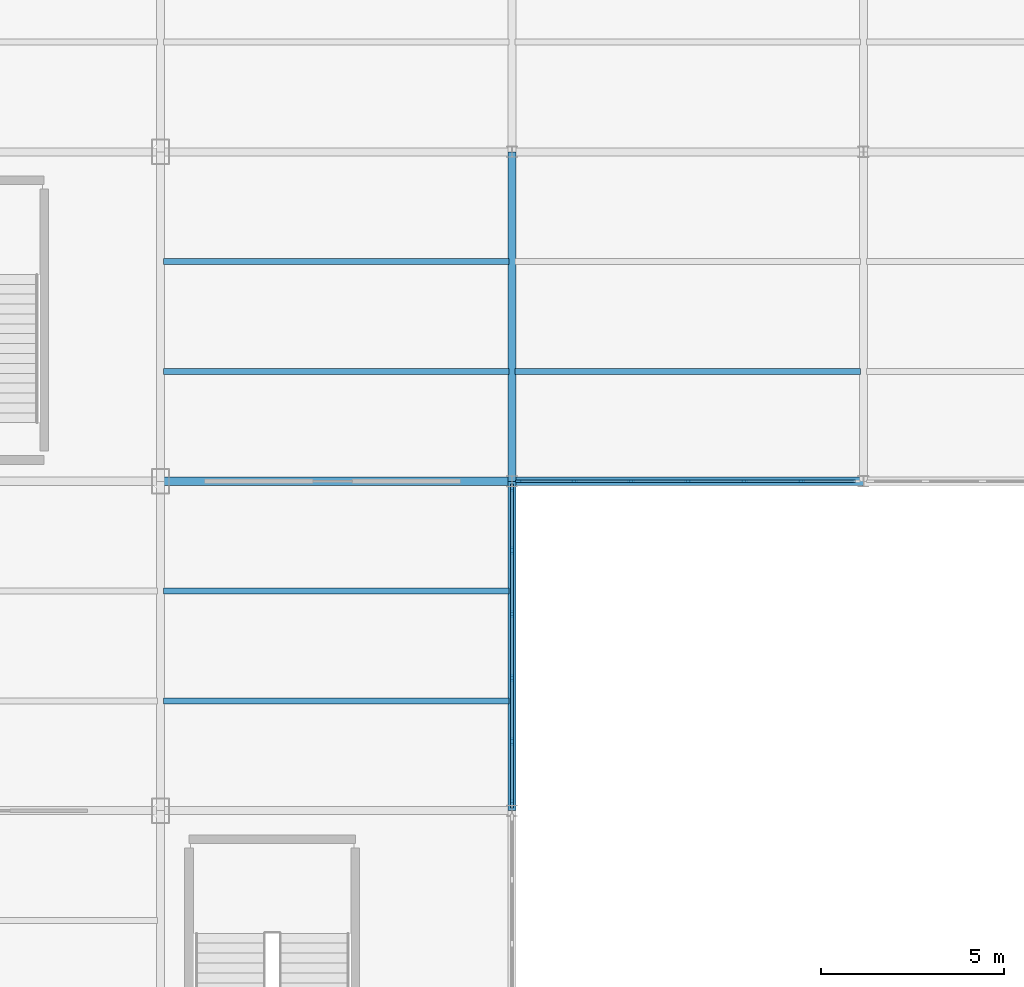
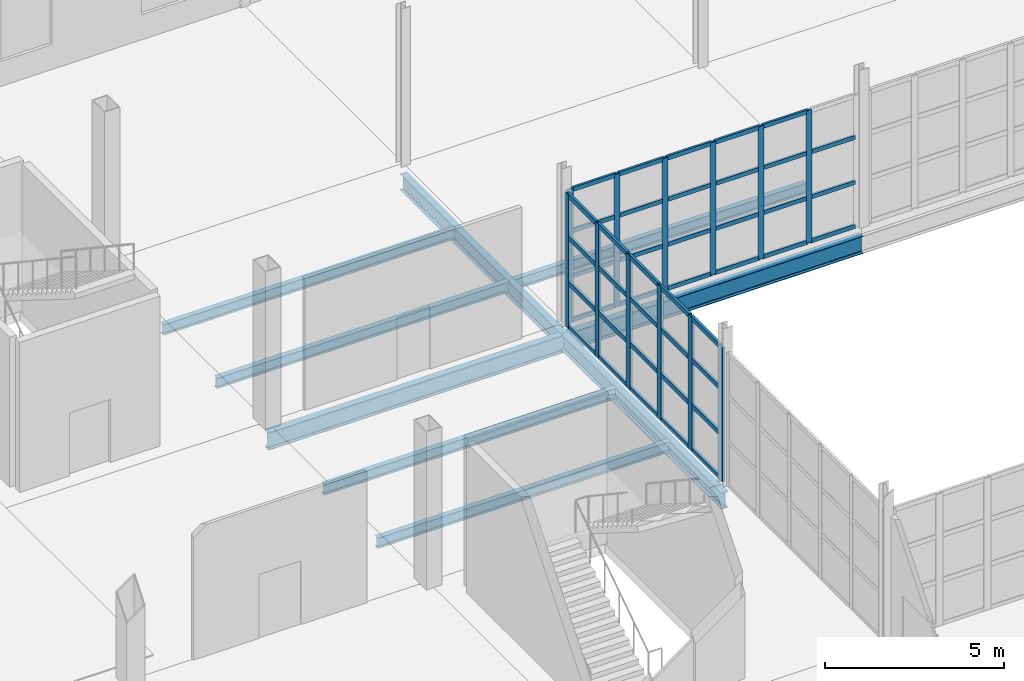
# One storey, part 38 of 85: 55 members, 9 beams, 2 elements without a shape of their own.
"""IFC4 building model written with IfcOpenShell, lengths in metres."""

from ifc_helpers import new_model, si_unit, direction, frame, origin, origin_2d, place, context, subcontext, project, spatial, rectangle, i_section, extrude, material, layer, layer_set, material_profile, profile_set, type_object, element, aggregate, save


model = new_model("IFC4")

# Units and contexts
model_context = context("Model", 3, precision=1e-05, world=origin(), true_north=direction((0.0, 1.0)))
body_context = subcontext(model_context, "Body", "Model", "MODEL_VIEW")
ifc_project = project(units=[si_unit("LENGTHUNIT", "METRE"), si_unit("AREAUNIT", "SQUARE_METRE"), si_unit("VOLUMEUNIT", "CUBIC_METRE"), si_unit("PLANEANGLEUNIT", "RADIAN"), si_unit("MASSUNIT", "GRAM", prefix="KILO")], contexts=[model_context])

# Site, building, storey
site_placement = place(None, origin())
site = spatial("IfcSite", under=ifc_project, at=site_placement, CompositionType="ELEMENT")
building_placement = place(site_placement, origin())
building = spatial("IfcBuilding", under=site, at=building_placement, Name="Zarnetskaya Central Station", CompositionType="ELEMENT")
storey_placement = place(building_placement, origin())
storey = spatial("IfcBuildingStorey", under=building, at=storey_placement, Name="L00", CompositionType="ELEMENT", Elevation=0.0)

# Beams
ifc_material_1 = material(Name="Steel S355", Category="steel")
ifc_material_profile_1 = material_profile(ifc_material_1, i_section(OverallWidth=0.169921875, OverallDepth=0.360107421875, WebThickness=0.008056640625, FlangeThickness=0.0126953125, FilletRadius=0.01806640625, at=origin_2d()), Name="IPE 360")
ifc_profile_set_1 = profile_set([ifc_material_profile_1], Name="Steel S355")
beam_type_1 = type_object("IfcBeamType", Name="BM-SEC-360", PredefinedType="BEAM", material=ifc_profile_set_1)
for number, where, z_axis, x_axis, name in (
    (1, (124.8798828125, 25.199951171875, -0.5), (1.0, 0.0, 0.0), (0.0, 1.0, 0.0), "Secondary floor beam SEC-L00-Z32-PQ-45-1"),
    (2, (124.8798828125, 28.199951171875, -0.5), (1.0, 0.0, 0.0), (0.0, 1.0, 0.0), "Secondary floor beam SEC-L00-Z32-PQ-45-2"),
    (3, (124.8798828125, 34.199951171875, -0.5), (1.0, 0.0, 0.0), (0.0, 1.0, 0.0), "Secondary floor beam SEC-L00-Z32-PQ-56-1"),
    (4, (124.8798828125, 37.199951171875, -0.5), (1.0, 0.0, 0.0), (0.0, 1.0, 0.0), "Secondary floor beam SEC-L00-Z32-PQ-56-2"),
):
    element("IfcBeam", number, at=place(storey_placement, frame(where, z_axis=z_axis, x_axis=x_axis)), inside=storey, type_object=beam_type_1, Name=name, PredefinedType="BEAM", context=body_context, shape_type="SweptSolid", body=[
        extrude(i_section(OverallWidth=0.169921875, OverallDepth=0.360107421875, WebThickness=0.008056640625, FlangeThickness=0.0126953125, FilletRadius=0.01806640625, at=origin_2d()), origin(), (0.0, 0.0, 1.0), 9.440185546875),
    ])
beam_1_placement = place(storey_placement, frame((134.47998046875, 34.199951171875, -0.5), z_axis=(1.0, 0.0, 0.0), x_axis=(0.0, 1.0, 0.0)))
element("IfcBeam", 5, at=beam_1_placement, inside=storey, type_object=beam_type_1, Name="Secondary floor beam SEC-L00-Z32-QR-56-1", PredefinedType="BEAM", context=body_context, shape_type="SweptSolid", body=[
    extrude(i_section(OverallWidth=0.169921875, OverallDepth=0.360107421875, WebThickness=0.008056640625, FlangeThickness=0.0126953125, FilletRadius=0.01806640625, at=origin_2d()), origin(), (0.0, 0.0, 1.0), 9.43994140625),
])

# Curtain wall, members
ifc_material_2 = material(Name="Low-E insulated glass", Category="glass")
ifc_layer = layer(ifc_material_2, 0.172119140625, Name="Low-E insulated glass", Category="glass")
ifc_layer_set = layer_set([ifc_layer], Name="Low-E insulated glass")
curtain_wall_type = type_object("IfcCurtainWallType", Name="CW-SYS-04", PredefinedType="USERDEFINED", material=ifc_layer_set)
curtain_wall_1_placement = place(storey_placement, origin())
curtain_wall_1 = element("IfcCurtainWall", 6, at=curtain_wall_1_placement, inside=storey, type_object=curtain_wall_type, Name="Curtain wall CW-L00-107", ObjectType="CURTAIN WALL", PredefinedType="USERDEFINED")
ifc_material_3 = material(Name="Anodised aluminium", Category="aluminium")
ifc_material_profile_2 = material_profile(ifc_material_3, rectangle(XDim=0.070068359375, YDim=0.179931640625, at=origin_2d()), Name="ALU MULL 70x180")
ifc_profile_set_2 = profile_set([ifc_material_profile_2], Name="Anodised aluminium")
member_type_1 = type_object("IfcMemberType", Name="CW-MULL-180", PredefinedType="MULLION", material=ifc_profile_set_2)
member_1_placement = place(storey_placement, frame((142.300048828125, 31.199951171875, 0.0), z_axis=(0.0, 0.0, 1.0), x_axis=(0.0, -1.0, 0.0)))
member_1 = element("IfcMember", 7, at=member_1_placement, type_object=member_type_1, Name="CW-15 mullion 2", PredefinedType="MULLION", context=body_context, shape_type="SweptSolid", body=[
    extrude(rectangle(XDim=0.070068359375, YDim=0.179931640625, at=origin_2d()), origin(), (0.0, 0.0, 1.0), 4.52001953125),
])
member_2_placement = place(storey_placement, frame((140.75, 31.199951171875, 0.0), z_axis=(0.0, 0.0, 1.0), x_axis=(0.0, -1.0, 0.0)))
member_2 = element("IfcMember", 8, at=member_2_placement, type_object=member_type_1, Name="CW-15 mullion 3", PredefinedType="MULLION", context=body_context, shape_type="SweptSolid", body=[
    extrude(rectangle(XDim=0.070068359375, YDim=0.179931640625, at=origin_2d()), origin(), (0.0, 0.0, 1.0), 4.52001953125),
])
member_3_placement = place(storey_placement, frame((139.199951171875, 31.199951171875, 0.0), z_axis=(0.0, 0.0, 1.0), x_axis=(0.0, -1.0, 0.0)))
member_3 = element("IfcMember", 9, at=member_3_placement, type_object=member_type_1, Name="CW-15 mullion 4", PredefinedType="MULLION", context=body_context, shape_type="SweptSolid", body=[
    extrude(rectangle(XDim=0.070068359375, YDim=0.179931640625, at=origin_2d()), origin(), (0.0, 0.0, 1.0), 4.52001953125),
])
member_4_placement = place(storey_placement, frame((137.64990234375, 31.199951171875, 0.0), z_axis=(0.0, 0.0, 1.0), x_axis=(0.0, -1.0, 0.0)))
member_4 = element("IfcMember", 10, at=member_4_placement, type_object=member_type_1, Name="CW-15 mullion 5", PredefinedType="MULLION", context=body_context, shape_type="SweptSolid", body=[
    extrude(rectangle(XDim=0.070068359375, YDim=0.179931640625, at=origin_2d()), origin(), (0.0, 0.0, 1.0), 4.52001953125),
])
member_5_placement = place(storey_placement, frame((136.10009765625, 31.199951171875, 0.0), z_axis=(0.0, 0.0, 1.0), x_axis=(0.0, -1.0, 0.0)))
member_5 = element("IfcMember", 11, at=member_5_placement, type_object=member_type_1, Name="CW-15 mullion 6", PredefinedType="MULLION", context=body_context, shape_type="SweptSolid", body=[
    extrude(rectangle(XDim=0.070068359375, YDim=0.179931640625, at=origin_2d()), origin(), (0.0, 0.0, 1.0), 4.52001953125),
])
member_6_placement = place(storey_placement, frame((134.5849609375, 31.199951171875, 0.0), z_axis=(0.0, 0.0, 1.0), x_axis=(0.0, -1.0, 0.0)))
member_6 = element("IfcMember", 12, at=member_6_placement, type_object=member_type_1, Name="CW-15 mullion 7", PredefinedType="MULLION", context=body_context, shape_type="SweptSolid", body=[
    extrude(rectangle(XDim=0.070068359375, YDim=0.179931640625, at=origin_2d()), origin(), (0.0, 0.0, 1.0), 4.52001953125),
])

curtain_wall_2_placement = place(storey_placement, origin())
curtain_wall_2 = element("IfcCurtainWall", 13, at=curtain_wall_2_placement, inside=storey, type_object=curtain_wall_type, Name="Curtain wall CW-L00-108", ObjectType="CURTAIN WALL", PredefinedType="USERDEFINED")
ifc_material_profile_3 = material_profile(ifc_material_3, rectangle(XDim=0.080078125, YDim=0.219970703125, at=origin_2d()), Name="ALU MULL 80x220")
ifc_profile_set_3 = profile_set([ifc_material_profile_3], Name="Anodised aluminium")
member_type_2 = type_object("IfcMemberType", Name="CW-MULL-220", PredefinedType="MULLION", material=ifc_profile_set_3)
member_7_placement = place(storey_placement, frame((134.39990234375, 31.010009765625, 0.0), z_axis=(0.0, 0.0, 1.0), x_axis=(1.0, 0.0, 0.0)))
member_7 = element("IfcMember", 14, at=member_7_placement, type_object=member_type_2, Name="CW-15 mullion 1", PredefinedType="MULLION", context=body_context, shape_type="SweptSolid", body=[
    extrude(rectangle(XDim=0.080078125, YDim=0.219970703125, at=origin_2d()), origin(), (0.0, 0.0, 1.0), 4.570068359375),
])
member_8_placement = place(storey_placement, frame((134.39990234375, 29.31005859375, 0.0), z_axis=(0.0, 0.0, 1.0), x_axis=(1.0, 0.0, 0.0)))
member_8 = element("IfcMember", 15, at=member_8_placement, type_object=member_type_2, Name="CW-15 mullion 2", PredefinedType="MULLION", context=body_context, shape_type="SweptSolid", body=[
    extrude(rectangle(XDim=0.080078125, YDim=0.219970703125, at=origin_2d()), origin(), (0.0, 0.0, 1.0), 4.570068359375),
])
member_9_placement = place(storey_placement, frame((134.39990234375, 27.570068359375, 0.0), z_axis=(0.0, 0.0, 1.0), x_axis=(1.0, 0.0, 0.0)))
member_9 = element("IfcMember", 16, at=member_9_placement, type_object=member_type_2, Name="CW-15 mullion 3", PredefinedType="MULLION", context=body_context, shape_type="SweptSolid", body=[
    extrude(rectangle(XDim=0.080078125, YDim=0.219970703125, at=origin_2d()), origin(), (0.0, 0.0, 1.0), 4.570068359375),
])
member_10_placement = place(storey_placement, frame((134.39990234375, 25.830078125, 0.0), z_axis=(0.0, 0.0, 1.0), x_axis=(1.0, 0.0, 0.0)))
member_10 = element("IfcMember", 17, at=member_10_placement, type_object=member_type_2, Name="CW-15 mullion 4", PredefinedType="MULLION", context=body_context, shape_type="SweptSolid", body=[
    extrude(rectangle(XDim=0.080078125, YDim=0.219970703125, at=origin_2d()), origin(), (0.0, 0.0, 1.0), 4.570068359375),
])
member_11_placement = place(storey_placement, frame((134.39990234375, 24.090087890625, 0.0), z_axis=(0.0, 0.0, 1.0), x_axis=(1.0, 0.0, 0.0)))
member_11 = element("IfcMember", 18, at=member_11_placement, type_object=member_type_2, Name="CW-15 mullion 5", PredefinedType="MULLION", context=body_context, shape_type="SweptSolid", body=[
    extrude(rectangle(XDim=0.080078125, YDim=0.219970703125, at=origin_2d()), origin(), (0.0, 0.0, 1.0), 4.570068359375),
])
member_12_placement = place(storey_placement, frame((134.39990234375, 22.389892578125, 0.0), z_axis=(0.0, 0.0, 1.0), x_axis=(1.0, 0.0, 0.0)))
member_12 = element("IfcMember", 19, at=member_12_placement, type_object=member_type_2, Name="CW-15 mullion 6", PredefinedType="MULLION", context=body_context, shape_type="SweptSolid", body=[
    extrude(rectangle(XDim=0.080078125, YDim=0.219970703125, at=origin_2d()), origin(), (0.0, 0.0, 1.0), 4.570068359375),
])

# Member
ifc_material_profile_4 = material_profile(ifc_material_3, rectangle(XDim=0.070068359375, YDim=0.139892578125, at=origin_2d()), Name="ALU TRAN 70x140")
ifc_profile_set_4 = profile_set([ifc_material_profile_4], Name="Anodised aluminium")
member_type_3 = type_object("IfcMemberType", Name="CW-TRAN-140", PredefinedType="USERDEFINED", material=ifc_profile_set_4)
member_13_placement = place(storey_placement, frame((143.780029296875, 31.199951171875, 0.034912109375), z_axis=(-1.0, 0.0, 0.0), x_axis=(0.0, -1.0, 0.0)))
member_13 = element("IfcMember", 20, at=member_13_placement, type_object=member_type_3, Name="CW-15 transom 1.1", ObjectType="TRANSOM", PredefinedType="USERDEFINED", context=body_context, shape_type="SweptSolid", body=[
    extrude(rectangle(XDim=0.070068359375, YDim=0.139892578125, at=origin_2d()), origin(), (0.0, 0.0, 1.0), 1.445068359375),
])

member_14_placement = place(storey_placement, frame((143.780029296875, 31.199951171875, 1.537109375), z_axis=(-1.0, 0.0, 0.0), x_axis=(0.0, -1.0, 0.0)))
member_14 = element("IfcMember", 21, at=member_14_placement, type_object=member_type_3, Name="CW-15 transom 1.2", ObjectType="TRANSOM", PredefinedType="USERDEFINED", context=body_context, shape_type="SweptSolid", body=[
    extrude(rectangle(XDim=0.070068359375, YDim=0.139892578125, at=origin_2d()), origin(), (0.0, 0.0, 1.0), 1.445068359375),
])

member_15_placement = place(storey_placement, frame((143.780029296875, 31.199951171875, 3.073974609375), z_axis=(-1.0, 0.0, 0.0), x_axis=(0.0, -1.0, 0.0)))
member_15 = element("IfcMember", 22, at=member_15_placement, type_object=member_type_3, Name="CW-15 transom 1.3", ObjectType="TRANSOM", PredefinedType="USERDEFINED", context=body_context, shape_type="SweptSolid", body=[
    extrude(rectangle(XDim=0.070068359375, YDim=0.139892578125, at=origin_2d()), origin(), (0.0, 0.0, 1.0), 1.445068359375),
])

member_16_placement = place(storey_placement, frame((142.264892578125, 31.199951171875, 0.034912109375), z_axis=(-1.0, 0.0, 0.0), x_axis=(0.0, -1.0, 0.0)))
member_16 = element("IfcMember", 23, at=member_16_placement, type_object=member_type_3, Name="CW-15 transom 2.1", ObjectType="TRANSOM", PredefinedType="USERDEFINED", context=body_context, shape_type="SweptSolid", body=[
    extrude(rectangle(XDim=0.070068359375, YDim=0.139892578125, at=origin_2d()), origin(), (0.0, 0.0, 1.0), 1.47998046875),
])

member_17_placement = place(storey_placement, frame((142.264892578125, 31.199951171875, 1.537109375), z_axis=(-1.0, 0.0, 0.0), x_axis=(0.0, -1.0, 0.0)))
member_17 = element("IfcMember", 24, at=member_17_placement, type_object=member_type_3, Name="CW-15 transom 2.2", ObjectType="TRANSOM", PredefinedType="USERDEFINED", context=body_context, shape_type="SweptSolid", body=[
    extrude(rectangle(XDim=0.070068359375, YDim=0.139892578125, at=origin_2d()), origin(), (0.0, 0.0, 1.0), 1.47998046875),
])

member_18_placement = place(storey_placement, frame((142.264892578125, 31.199951171875, 3.073974609375), z_axis=(-1.0, 0.0, 0.0), x_axis=(0.0, -1.0, 0.0)))
member_18 = element("IfcMember", 25, at=member_18_placement, type_object=member_type_3, Name="CW-15 transom 2.3", ObjectType="TRANSOM", PredefinedType="USERDEFINED", context=body_context, shape_type="SweptSolid", body=[
    extrude(rectangle(XDim=0.070068359375, YDim=0.139892578125, at=origin_2d()), origin(), (0.0, 0.0, 1.0), 1.47998046875),
])

member_19_placement = place(storey_placement, frame((142.264892578125, 31.199951171875, 4.485107421875), z_axis=(-1.0, 0.0, 0.0), x_axis=(0.0, -1.0, 0.0)))
member_19 = element("IfcMember", 26, at=member_19_placement, type_object=member_type_3, Name="CW-15 transom 2.4", ObjectType="TRANSOM", PredefinedType="USERDEFINED", context=body_context, shape_type="SweptSolid", body=[
    extrude(rectangle(XDim=0.070068359375, YDim=0.139892578125, at=origin_2d()), origin(), (0.0, 0.0, 1.0), 1.47998046875),
])

member_20_placement = place(storey_placement, frame((140.715087890625, 31.199951171875, 0.034912109375), z_axis=(-1.0, 0.0, 0.0), x_axis=(0.0, -1.0, 0.0)))
member_20 = element("IfcMember", 27, at=member_20_placement, type_object=member_type_3, Name="CW-15 transom 3.1", ObjectType="TRANSOM", PredefinedType="USERDEFINED", context=body_context, shape_type="SweptSolid", body=[
    extrude(rectangle(XDim=0.070068359375, YDim=0.139892578125, at=origin_2d()), origin(), (0.0, 0.0, 1.0), 1.47998046875),
])

member_21_placement = place(storey_placement, frame((140.715087890625, 31.199951171875, 1.537109375), z_axis=(-1.0, 0.0, 0.0), x_axis=(0.0, -1.0, 0.0)))
member_21 = element("IfcMember", 28, at=member_21_placement, type_object=member_type_3, Name="CW-15 transom 3.2", ObjectType="TRANSOM", PredefinedType="USERDEFINED", context=body_context, shape_type="SweptSolid", body=[
    extrude(rectangle(XDim=0.070068359375, YDim=0.139892578125, at=origin_2d()), origin(), (0.0, 0.0, 1.0), 1.47998046875),
])

member_22_placement = place(storey_placement, frame((140.715087890625, 31.199951171875, 3.073974609375), z_axis=(-1.0, 0.0, 0.0), x_axis=(0.0, -1.0, 0.0)))
member_22 = element("IfcMember", 29, at=member_22_placement, type_object=member_type_3, Name="CW-15 transom 3.3", ObjectType="TRANSOM", PredefinedType="USERDEFINED", context=body_context, shape_type="SweptSolid", body=[
    extrude(rectangle(XDim=0.070068359375, YDim=0.139892578125, at=origin_2d()), origin(), (0.0, 0.0, 1.0), 1.47998046875),
])

member_23_placement = place(storey_placement, frame((140.715087890625, 31.199951171875, 4.485107421875), z_axis=(-1.0, 0.0, 0.0), x_axis=(0.0, -1.0, 0.0)))
member_23 = element("IfcMember", 30, at=member_23_placement, type_object=member_type_3, Name="CW-15 transom 3.4", ObjectType="TRANSOM", PredefinedType="USERDEFINED", context=body_context, shape_type="SweptSolid", body=[
    extrude(rectangle(XDim=0.070068359375, YDim=0.139892578125, at=origin_2d()), origin(), (0.0, 0.0, 1.0), 1.47998046875),
])

member_24_placement = place(storey_placement, frame((139.1650390625, 31.199951171875, 0.034912109375), z_axis=(-1.0, 0.0, 0.0), x_axis=(0.0, -1.0, 0.0)))
member_24 = element("IfcMember", 31, at=member_24_placement, type_object=member_type_3, Name="CW-15 transom 4.1", ObjectType="TRANSOM", PredefinedType="USERDEFINED", context=body_context, shape_type="SweptSolid", body=[
    extrude(rectangle(XDim=0.070068359375, YDim=0.139892578125, at=origin_2d()), origin(), (0.0, 0.0, 1.0), 1.47998046875),
])

member_25_placement = place(storey_placement, frame((139.1650390625, 31.199951171875, 1.537109375), z_axis=(-1.0, 0.0, 0.0), x_axis=(0.0, -1.0, 0.0)))
member_25 = element("IfcMember", 32, at=member_25_placement, type_object=member_type_3, Name="CW-15 transom 4.2", ObjectType="TRANSOM", PredefinedType="USERDEFINED", context=body_context, shape_type="SweptSolid", body=[
    extrude(rectangle(XDim=0.070068359375, YDim=0.139892578125, at=origin_2d()), origin(), (0.0, 0.0, 1.0), 1.47998046875),
])

member_26_placement = place(storey_placement, frame((139.1650390625, 31.199951171875, 3.073974609375), z_axis=(-1.0, 0.0, 0.0), x_axis=(0.0, -1.0, 0.0)))
member_26 = element("IfcMember", 33, at=member_26_placement, type_object=member_type_3, Name="CW-15 transom 4.3", ObjectType="TRANSOM", PredefinedType="USERDEFINED", context=body_context, shape_type="SweptSolid", body=[
    extrude(rectangle(XDim=0.070068359375, YDim=0.139892578125, at=origin_2d()), origin(), (0.0, 0.0, 1.0), 1.47998046875),
])

member_27_placement = place(storey_placement, frame((139.1650390625, 31.199951171875, 4.485107421875), z_axis=(-1.0, 0.0, 0.0), x_axis=(0.0, -1.0, 0.0)))
member_27 = element("IfcMember", 34, at=member_27_placement, type_object=member_type_3, Name="CW-15 transom 4.4", ObjectType="TRANSOM", PredefinedType="USERDEFINED", context=body_context, shape_type="SweptSolid", body=[
    extrude(rectangle(XDim=0.070068359375, YDim=0.139892578125, at=origin_2d()), origin(), (0.0, 0.0, 1.0), 1.47998046875),
])

member_28_placement = place(storey_placement, frame((137.614990234375, 31.199951171875, 0.034912109375), z_axis=(-1.0, 0.0, 0.0), x_axis=(0.0, -1.0, 0.0)))
member_28 = element("IfcMember", 35, at=member_28_placement, type_object=member_type_3, Name="CW-15 transom 5.1", ObjectType="TRANSOM", PredefinedType="USERDEFINED", context=body_context, shape_type="SweptSolid", body=[
    extrude(rectangle(XDim=0.070068359375, YDim=0.139892578125, at=origin_2d()), origin(), (0.0, 0.0, 1.0), 1.47998046875),
])

member_29_placement = place(storey_placement, frame((137.614990234375, 31.199951171875, 1.537109375), z_axis=(-1.0, 0.0, 0.0), x_axis=(0.0, -1.0, 0.0)))
member_29 = element("IfcMember", 36, at=member_29_placement, type_object=member_type_3, Name="CW-15 transom 5.2", ObjectType="TRANSOM", PredefinedType="USERDEFINED", context=body_context, shape_type="SweptSolid", body=[
    extrude(rectangle(XDim=0.070068359375, YDim=0.139892578125, at=origin_2d()), origin(), (0.0, 0.0, 1.0), 1.47998046875),
])

member_30_placement = place(storey_placement, frame((137.614990234375, 31.199951171875, 3.073974609375), z_axis=(-1.0, 0.0, 0.0), x_axis=(0.0, -1.0, 0.0)))
member_30 = element("IfcMember", 37, at=member_30_placement, type_object=member_type_3, Name="CW-15 transom 5.3", ObjectType="TRANSOM", PredefinedType="USERDEFINED", context=body_context, shape_type="SweptSolid", body=[
    extrude(rectangle(XDim=0.070068359375, YDim=0.139892578125, at=origin_2d()), origin(), (0.0, 0.0, 1.0), 1.47998046875),
])

member_31_placement = place(storey_placement, frame((137.614990234375, 31.199951171875, 4.485107421875), z_axis=(-1.0, 0.0, 0.0), x_axis=(0.0, -1.0, 0.0)))
member_31 = element("IfcMember", 38, at=member_31_placement, type_object=member_type_3, Name="CW-15 transom 5.4", ObjectType="TRANSOM", PredefinedType="USERDEFINED", context=body_context, shape_type="SweptSolid", body=[
    extrude(rectangle(XDim=0.070068359375, YDim=0.139892578125, at=origin_2d()), origin(), (0.0, 0.0, 1.0), 1.47998046875),
])

member_32_placement = place(storey_placement, frame((136.06494140625, 31.199951171875, 0.034912109375), z_axis=(-1.0, 0.0, 0.0), x_axis=(0.0, -1.0, 0.0)))
member_32 = element("IfcMember", 39, at=member_32_placement, type_object=member_type_3, Name="CW-15 transom 6.1", ObjectType="TRANSOM", PredefinedType="USERDEFINED", context=body_context, shape_type="SweptSolid", body=[
    extrude(rectangle(XDim=0.070068359375, YDim=0.139892578125, at=origin_2d()), origin(), (0.0, 0.0, 1.0), 1.44482421875),
])

member_33_placement = place(storey_placement, frame((136.06494140625, 31.199951171875, 1.537109375), z_axis=(-1.0, 0.0, 0.0), x_axis=(0.0, -1.0, 0.0)))
member_33 = element("IfcMember", 40, at=member_33_placement, type_object=member_type_3, Name="CW-15 transom 6.2", ObjectType="TRANSOM", PredefinedType="USERDEFINED", context=body_context, shape_type="SweptSolid", body=[
    extrude(rectangle(XDim=0.070068359375, YDim=0.139892578125, at=origin_2d()), origin(), (0.0, 0.0, 1.0), 1.44482421875),
])

member_34_placement = place(storey_placement, frame((136.06494140625, 31.199951171875, 3.073974609375), z_axis=(-1.0, 0.0, 0.0), x_axis=(0.0, -1.0, 0.0)))
member_34 = element("IfcMember", 41, at=member_34_placement, type_object=member_type_3, Name="CW-15 transom 6.3", ObjectType="TRANSOM", PredefinedType="USERDEFINED", context=body_context, shape_type="SweptSolid", body=[
    extrude(rectangle(XDim=0.070068359375, YDim=0.139892578125, at=origin_2d()), origin(), (0.0, 0.0, 1.0), 1.44482421875),
])

member_35_placement = place(storey_placement, frame((136.06494140625, 31.199951171875, 4.485107421875), z_axis=(-1.0, 0.0, 0.0), x_axis=(0.0, -1.0, 0.0)))
member_35 = element("IfcMember", 42, at=member_35_placement, type_object=member_type_3, Name="CW-15 transom 6.4", ObjectType="TRANSOM", PredefinedType="USERDEFINED", context=body_context, shape_type="SweptSolid", body=[
    extrude(rectangle(XDim=0.070068359375, YDim=0.139892578125, at=origin_2d()), origin(), (0.0, 0.0, 1.0), 1.44482421875),
])

aggregate(curtain_wall_1, [member_1, member_2, member_3, member_4, member_5, member_6, member_13, member_14, member_15, member_16, member_17, member_18, member_19, member_20, member_21, member_22, member_23, member_24, member_25, member_26, member_27, member_28, member_29, member_30, member_31, member_32, member_33, member_34, member_35])

ifc_material_profile_5 = material_profile(ifc_material_3, rectangle(XDim=0.080078125, YDim=0.159912109375, at=origin_2d()), Name="ALU TRAN 80x160")
ifc_profile_set_5 = profile_set([ifc_material_profile_5], Name="Anodised aluminium")
member_type_4 = type_object("IfcMemberType", Name="CW-TRAN-160", PredefinedType="USERDEFINED", material=ifc_profile_set_5)
member_36_placement = place(storey_placement, frame((134.39990234375, 30.969970703125, 0.0400390625), z_axis=(0.0, -1.0, 0.0), x_axis=(1.0, 0.0, 0.0)))
member_36 = element("IfcMember", 43, at=member_36_placement, type_object=member_type_4, Name="CW-15 transom 1.1", ObjectType="TRANSOM", PredefinedType="USERDEFINED", context=body_context, shape_type="SweptSolid", body=[
    extrude(rectangle(XDim=0.080078125, YDim=0.159912109375, at=origin_2d()), origin(), (0.0, 0.0, 1.0), 1.619873046875),
])

member_37_placement = place(storey_placement, frame((134.39990234375, 30.969970703125, 1.553955078125), z_axis=(0.0, -1.0, 0.0), x_axis=(1.0, 0.0, 0.0)))
member_37 = element("IfcMember", 44, at=member_37_placement, type_object=member_type_4, Name="CW-15 transom 1.2", ObjectType="TRANSOM", PredefinedType="USERDEFINED", context=body_context, shape_type="SweptSolid", body=[
    extrude(rectangle(XDim=0.080078125, YDim=0.159912109375, at=origin_2d()), origin(), (0.0, 0.0, 1.0), 1.619873046875),
])

member_38_placement = place(storey_placement, frame((134.39990234375, 30.969970703125, 3.10791015625), z_axis=(0.0, -1.0, 0.0), x_axis=(1.0, 0.0, 0.0)))
member_38 = element("IfcMember", 45, at=member_38_placement, type_object=member_type_4, Name="CW-15 transom 1.3", ObjectType="TRANSOM", PredefinedType="USERDEFINED", context=body_context, shape_type="SweptSolid", body=[
    extrude(rectangle(XDim=0.080078125, YDim=0.159912109375, at=origin_2d()), origin(), (0.0, 0.0, 1.0), 1.619873046875),
])

member_39_placement = place(storey_placement, frame((134.39990234375, 30.969970703125, 4.530029296875), z_axis=(0.0, -1.0, 0.0), x_axis=(1.0, 0.0, 0.0)))
member_39 = element("IfcMember", 46, at=member_39_placement, type_object=member_type_4, Name="CW-15 transom 1.4", ObjectType="TRANSOM", PredefinedType="USERDEFINED", context=body_context, shape_type="SweptSolid", body=[
    extrude(rectangle(XDim=0.080078125, YDim=0.159912109375, at=origin_2d()), origin(), (0.0, 0.0, 1.0), 1.619873046875),
])

member_40_placement = place(storey_placement, frame((134.39990234375, 29.27001953125, 0.0400390625), z_axis=(0.0, -1.0, 0.0), x_axis=(1.0, 0.0, 0.0)))
member_40 = element("IfcMember", 47, at=member_40_placement, type_object=member_type_4, Name="CW-15 transom 2.1", ObjectType="TRANSOM", PredefinedType="USERDEFINED", context=body_context, shape_type="SweptSolid", body=[
    extrude(rectangle(XDim=0.080078125, YDim=0.159912109375, at=origin_2d()), origin(), (0.0, 0.0, 1.0), 1.659912109375),
])

member_41_placement = place(storey_placement, frame((134.39990234375, 29.27001953125, 1.553955078125), z_axis=(0.0, -1.0, 0.0), x_axis=(1.0, 0.0, 0.0)))
member_41 = element("IfcMember", 48, at=member_41_placement, type_object=member_type_4, Name="CW-15 transom 2.2", ObjectType="TRANSOM", PredefinedType="USERDEFINED", context=body_context, shape_type="SweptSolid", body=[
    extrude(rectangle(XDim=0.080078125, YDim=0.159912109375, at=origin_2d()), origin(), (0.0, 0.0, 1.0), 1.659912109375),
])

member_42_placement = place(storey_placement, frame((134.39990234375, 29.27001953125, 3.10791015625), z_axis=(0.0, -1.0, 0.0), x_axis=(1.0, 0.0, 0.0)))
member_42 = element("IfcMember", 49, at=member_42_placement, type_object=member_type_4, Name="CW-15 transom 2.3", ObjectType="TRANSOM", PredefinedType="USERDEFINED", context=body_context, shape_type="SweptSolid", body=[
    extrude(rectangle(XDim=0.080078125, YDim=0.159912109375, at=origin_2d()), origin(), (0.0, 0.0, 1.0), 1.659912109375),
])

member_43_placement = place(storey_placement, frame((134.39990234375, 29.27001953125, 4.530029296875), z_axis=(0.0, -1.0, 0.0), x_axis=(1.0, 0.0, 0.0)))
member_43 = element("IfcMember", 50, at=member_43_placement, type_object=member_type_4, Name="CW-15 transom 2.4", ObjectType="TRANSOM", PredefinedType="USERDEFINED", context=body_context, shape_type="SweptSolid", body=[
    extrude(rectangle(XDim=0.080078125, YDim=0.159912109375, at=origin_2d()), origin(), (0.0, 0.0, 1.0), 1.659912109375),
])

member_44_placement = place(storey_placement, frame((134.39990234375, 27.530029296875, 0.0400390625), z_axis=(0.0, -1.0, 0.0), x_axis=(1.0, 0.0, 0.0)))
member_44 = element("IfcMember", 51, at=member_44_placement, type_object=member_type_4, Name="CW-15 transom 3.1", ObjectType="TRANSOM", PredefinedType="USERDEFINED", context=body_context, shape_type="SweptSolid", body=[
    extrude(rectangle(XDim=0.080078125, YDim=0.159912109375, at=origin_2d()), origin(), (0.0, 0.0, 1.0), 1.659912109375),
])

member_45_placement = place(storey_placement, frame((134.39990234375, 27.530029296875, 1.553955078125), z_axis=(0.0, -1.0, 0.0), x_axis=(1.0, 0.0, 0.0)))
member_45 = element("IfcMember", 52, at=member_45_placement, type_object=member_type_4, Name="CW-15 transom 3.2", ObjectType="TRANSOM", PredefinedType="USERDEFINED", context=body_context, shape_type="SweptSolid", body=[
    extrude(rectangle(XDim=0.080078125, YDim=0.159912109375, at=origin_2d()), origin(), (0.0, 0.0, 1.0), 1.659912109375),
])

member_46_placement = place(storey_placement, frame((134.39990234375, 27.530029296875, 3.10791015625), z_axis=(0.0, -1.0, 0.0), x_axis=(1.0, 0.0, 0.0)))
member_46 = element("IfcMember", 53, at=member_46_placement, type_object=member_type_4, Name="CW-15 transom 3.3", ObjectType="TRANSOM", PredefinedType="USERDEFINED", context=body_context, shape_type="SweptSolid", body=[
    extrude(rectangle(XDim=0.080078125, YDim=0.159912109375, at=origin_2d()), origin(), (0.0, 0.0, 1.0), 1.659912109375),
])

member_47_placement = place(storey_placement, frame((134.39990234375, 27.530029296875, 4.530029296875), z_axis=(0.0, -1.0, 0.0), x_axis=(1.0, 0.0, 0.0)))
member_47 = element("IfcMember", 54, at=member_47_placement, type_object=member_type_4, Name="CW-15 transom 3.4", ObjectType="TRANSOM", PredefinedType="USERDEFINED", context=body_context, shape_type="SweptSolid", body=[
    extrude(rectangle(XDim=0.080078125, YDim=0.159912109375, at=origin_2d()), origin(), (0.0, 0.0, 1.0), 1.659912109375),
])

member_48_placement = place(storey_placement, frame((134.39990234375, 25.7900390625, 0.0400390625), z_axis=(0.0, -1.0, 0.0), x_axis=(1.0, 0.0, 0.0)))
member_48 = element("IfcMember", 55, at=member_48_placement, type_object=member_type_4, Name="CW-15 transom 4.1", ObjectType="TRANSOM", PredefinedType="USERDEFINED", context=body_context, shape_type="SweptSolid", body=[
    extrude(rectangle(XDim=0.080078125, YDim=0.159912109375, at=origin_2d()), origin(), (0.0, 0.0, 1.0), 1.66015625),
])

member_49_placement = place(storey_placement, frame((134.39990234375, 25.7900390625, 1.553955078125), z_axis=(0.0, -1.0, 0.0), x_axis=(1.0, 0.0, 0.0)))
member_49 = element("IfcMember", 56, at=member_49_placement, type_object=member_type_4, Name="CW-15 transom 4.2", ObjectType="TRANSOM", PredefinedType="USERDEFINED", context=body_context, shape_type="SweptSolid", body=[
    extrude(rectangle(XDim=0.080078125, YDim=0.159912109375, at=origin_2d()), origin(), (0.0, 0.0, 1.0), 1.66015625),
])

member_50_placement = place(storey_placement, frame((134.39990234375, 25.7900390625, 3.10791015625), z_axis=(0.0, -1.0, 0.0), x_axis=(1.0, 0.0, 0.0)))
member_50 = element("IfcMember", 57, at=member_50_placement, type_object=member_type_4, Name="CW-15 transom 4.3", ObjectType="TRANSOM", PredefinedType="USERDEFINED", context=body_context, shape_type="SweptSolid", body=[
    extrude(rectangle(XDim=0.080078125, YDim=0.159912109375, at=origin_2d()), origin(), (0.0, 0.0, 1.0), 1.66015625),
])

member_51_placement = place(storey_placement, frame((134.39990234375, 25.7900390625, 4.530029296875), z_axis=(0.0, -1.0, 0.0), x_axis=(1.0, 0.0, 0.0)))
member_51 = element("IfcMember", 58, at=member_51_placement, type_object=member_type_4, Name="CW-15 transom 4.4", ObjectType="TRANSOM", PredefinedType="USERDEFINED", context=body_context, shape_type="SweptSolid", body=[
    extrude(rectangle(XDim=0.080078125, YDim=0.159912109375, at=origin_2d()), origin(), (0.0, 0.0, 1.0), 1.66015625),
])

member_52_placement = place(storey_placement, frame((134.39990234375, 24.050048828125, 0.0400390625), z_axis=(0.0, -1.0, 0.0), x_axis=(1.0, 0.0, 0.0)))
member_52 = element("IfcMember", 59, at=member_52_placement, type_object=member_type_4, Name="CW-15 transom 5.1", ObjectType="TRANSOM", PredefinedType="USERDEFINED", context=body_context, shape_type="SweptSolid", body=[
    extrude(rectangle(XDim=0.080078125, YDim=0.159912109375, at=origin_2d()), origin(), (0.0, 0.0, 1.0), 1.6201171875),
])

member_53_placement = place(storey_placement, frame((134.39990234375, 24.050048828125, 1.553955078125), z_axis=(0.0, -1.0, 0.0), x_axis=(1.0, 0.0, 0.0)))
member_53 = element("IfcMember", 60, at=member_53_placement, type_object=member_type_4, Name="CW-15 transom 5.2", ObjectType="TRANSOM", PredefinedType="USERDEFINED", context=body_context, shape_type="SweptSolid", body=[
    extrude(rectangle(XDim=0.080078125, YDim=0.159912109375, at=origin_2d()), origin(), (0.0, 0.0, 1.0), 1.6201171875),
])

member_54_placement = place(storey_placement, frame((134.39990234375, 24.050048828125, 3.10791015625), z_axis=(0.0, -1.0, 0.0), x_axis=(1.0, 0.0, 0.0)))
member_54 = element("IfcMember", 61, at=member_54_placement, type_object=member_type_4, Name="CW-15 transom 5.3", ObjectType="TRANSOM", PredefinedType="USERDEFINED", context=body_context, shape_type="SweptSolid", body=[
    extrude(rectangle(XDim=0.080078125, YDim=0.159912109375, at=origin_2d()), origin(), (0.0, 0.0, 1.0), 1.6201171875),
])

member_55_placement = place(storey_placement, frame((134.39990234375, 24.050048828125, 4.530029296875), z_axis=(0.0, -1.0, 0.0), x_axis=(1.0, 0.0, 0.0)))
member_55 = element("IfcMember", 62, at=member_55_placement, type_object=member_type_4, Name="CW-15 transom 5.4", ObjectType="TRANSOM", PredefinedType="USERDEFINED", context=body_context, shape_type="SweptSolid", body=[
    extrude(rectangle(XDim=0.080078125, YDim=0.159912109375, at=origin_2d()), origin(), (0.0, 0.0, 1.0), 1.6201171875),
])

aggregate(curtain_wall_2, [member_7, member_8, member_9, member_10, member_11, member_12, member_36, member_37, member_38, member_39, member_40, member_41, member_42, member_43, member_44, member_45, member_46, member_47, member_48, member_49, member_50, member_51, member_52, member_53, member_54, member_55])

# Beams
ifc_material_profile_6 = material_profile(ifc_material_1, i_section(OverallWidth=0.2099609375, OverallDepth=0.550048828125, WebThickness=0.010986328125, FlangeThickness=0.01708984375, FilletRadius=0.02392578125, at=origin_2d()), Name="IPE 550")
ifc_profile_set_6 = profile_set([ifc_material_profile_6], Name="Steel S355")
beam_type_2 = type_object("IfcBeamType", Name="GD-FLR-550", PredefinedType="USERDEFINED", material=ifc_profile_set_6)
for number, where, z_axis, x_axis, name in (
    (63, (134.39990234375, 22.199951171875, -0.594970703125), (0.0, 1.0, 0.0), (-1.0, 0.0, 0.0), "Grid girder GY-L00-Q-45"),
    (64, (134.39990234375, 31.199951171875, -0.594970703125), (0.0, 1.0, 0.0), (-1.0, 0.0, 0.0), "Grid girder GY-L00-Q-56"),
):
    element("IfcBeam", number, at=place(storey_placement, frame(where, z_axis=z_axis, x_axis=x_axis)), inside=storey, type_object=beam_type_2, Name=name, ObjectType="GIRDER", PredefinedType="USERDEFINED", context=body_context, shape_type="SweptSolid", body=[
        extrude(i_section(OverallWidth=0.2099609375, OverallDepth=0.550048828125, WebThickness=0.010986328125, FlangeThickness=0.01708984375, FilletRadius=0.02392578125, at=origin_2d()), origin(), (0.0, 0.0, 1.0), 9.0),
    ])
ifc_material_profile_7 = material_profile(ifc_material_1, i_section(OverallWidth=0.219970703125, OverallDepth=0.60009765625, WebThickness=0.011962890625, FlangeThickness=0.01904296875, FilletRadius=0.02392578125, at=origin_2d()), Name="IPE 600")
ifc_profile_set_7 = profile_set([ifc_material_profile_7], Name="Steel S355")
beam_type_3 = type_object("IfcBeamType", Name="GD-FLR-600", PredefinedType="USERDEFINED", material=ifc_profile_set_7)
beam_2_placement = place(storey_placement, frame((124.800048828125, 31.199951171875, -0.6201171875), z_axis=(1.0, 0.0, 0.0), x_axis=(0.0, 1.0, 0.0)))
element("IfcBeam", 65, at=beam_2_placement, inside=storey, type_object=beam_type_3, Name="Grid girder GX-L00-5-PQ", ObjectType="GIRDER", PredefinedType="USERDEFINED", context=body_context, shape_type="SweptSolid", body=[
    extrude(i_section(OverallWidth=0.219970703125, OverallDepth=0.60009765625, WebThickness=0.011962890625, FlangeThickness=0.01904296875, FilletRadius=0.02392578125, at=origin_2d()), origin(), (0.0, 0.0, 1.0), 9.599853515625),
])
beam_3_placement = place(storey_placement, frame((134.39990234375, 31.199951171875, -0.6201171875), z_axis=(1.0, 0.0, 0.0), x_axis=(0.0, 1.0, 0.0)))
element("IfcBeam", 66, at=beam_3_placement, inside=storey, type_object=beam_type_3, Name="Grid girder GX-L00-5-QR", ObjectType="GIRDER", PredefinedType="USERDEFINED", context=body_context, shape_type="SweptSolid", body=[
    extrude(i_section(OverallWidth=0.219970703125, OverallDepth=0.60009765625, WebThickness=0.011962890625, FlangeThickness=0.01904296875, FilletRadius=0.02392578125, at=origin_2d()), origin(), (0.0, 0.0, 1.0), 9.60009765625),
])

save(model, "model.ifc")
